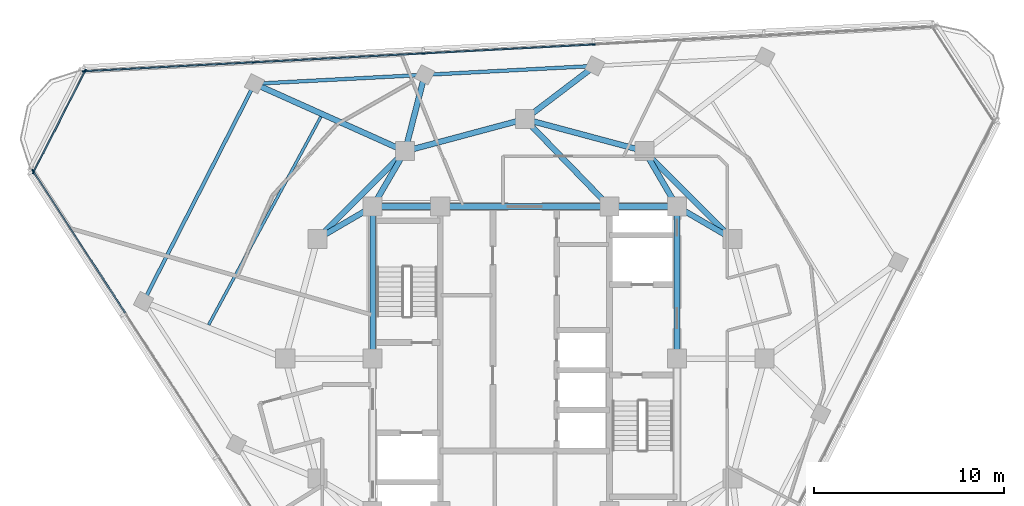
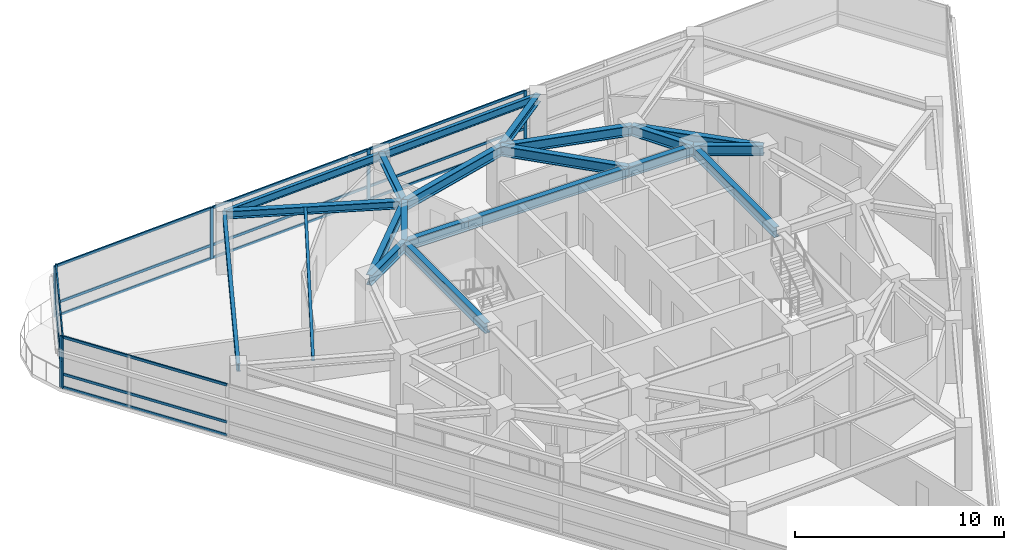
# One storey, part 5 of 15: 22 members, 21 beams, 3 elements without a shape of their own.
"""IFC4 building model written with IfcOpenShell, lengths in metres."""

from ifc_helpers import new_model, si_unit, direction, frame, origin, origin_2d, place, context, subcontext, project, spatial, rectangle, i_section, extrude, material, layer, layer_set, material_profile, profile_set, type_object, element, aggregate, save


model = new_model("IFC4")

# Units and contexts
model_context = context("Model", 3, precision=1e-05, world=origin(), true_north=direction((0.0, 1.0)))
body_context = subcontext(model_context, "Body", "Model", "MODEL_VIEW")
ifc_project = project(units=[si_unit("LENGTHUNIT", "METRE"), si_unit("AREAUNIT", "SQUARE_METRE"), si_unit("VOLUMEUNIT", "CUBIC_METRE"), si_unit("PLANEANGLEUNIT", "RADIAN"), si_unit("MASSUNIT", "GRAM", prefix="KILO")], contexts=[model_context])

# Site, building, storey
site_placement = place(None, origin())
site = spatial("IfcSite", under=ifc_project, at=site_placement, CompositionType="ELEMENT")
building_placement = place(site_placement, origin())
building = spatial("IfcBuilding", under=site, at=building_placement, Name="Terralouvre Media Tower", CompositionType="ELEMENT")
storey_placement = place(building_placement, frame((0.0, 0.0, 263.300048828125)))
storey = spatial("IfcBuildingStorey", under=building, at=storey_placement, Name="L68", CompositionType="ELEMENT", Elevation=263.300048828125)

# Beam
ifc_material_1 = material(Name="Structural steel S355J2", Category="steel")
ifc_material_profile_1 = material_profile(ifc_material_1, i_section(OverallWidth=0.14990234375, OverallDepth=0.300048828125, WebThickness=0.007080078125, FlangeThickness=0.0107421875, at=origin_2d()), Name="IPE 300")
ifc_profile_set_1 = profile_set([ifc_material_profile_1], Name="Structural steel S355J2")
beam_type_1 = type_object("IfcBeamType", Name="Composite Floor Joist J-IPE300 (IPE 300)", PredefinedType="JOIST", material=ifc_profile_set_1)
beam_1_placement = place(storey_placement, frame((-10.72509765625, 12.73046875, 3.349853515625), z_axis=(-0.47463118451, -0.880184775312, 0.0), x_axis=(0.880184775312, -0.47463118451, 0.0)))
element("IfcBeam", 1, at=beam_1_placement, inside=storey, type_object=beam_type_1, Name="L68 Framing Beam JT-L68-05", PredefinedType="JOIST", context=body_context, shape_type="SweptSolid", body=[
    extrude(i_section(OverallWidth=0.14990234375, OverallDepth=0.300048828125, WebThickness=0.007080078125, FlangeThickness=0.0107421875, at=origin_2d()), origin(), (0.0, 0.0, 1.0), 12.437255859375),
])

# Curtain wall, members
ifc_material_2 = material(Name="Low-iron laminated double glazing with solar-control coating", Category="glass")
ifc_layer_1 = layer(ifc_material_2, 0.1650390625, Name="Upper Executive Tower Curtain Wall CW-05")
ifc_layer_set_1 = layer_set([ifc_layer_1], Name="Low-iron laminated double glazing with solar-control coating")
curtain_wall_type_1 = type_object("IfcCurtainWallType", Name="Upper Executive Tower Curtain Wall CW-05", PredefinedType="NOTDEFINED", material=ifc_layer_set_1)
curtain_wall_1_placement = place(storey_placement, origin())
curtain_wall_1 = element("IfcCurtainWall", 2, at=curtain_wall_1_placement, inside=storey, type_object=curtain_wall_type_1, Name="L68 Facade Curtain Wall F1", PredefinedType="NOTDEFINED")
ifc_material_3 = material(Name="Anodised extruded aluminium 6063-T6", Category="aluminium")
ifc_material_profile_2 = material_profile(ifc_material_3, rectangle(XDim=0.074951171875, YDim=0.14990234375, at=origin_2d()), Name="ALU 75x150")
ifc_profile_set_2 = profile_set([ifc_material_profile_2], Name="Anodised extruded aluminium 6063-T6")
member_type_1 = type_object("IfcMemberType", Name="Curtain-Wall Horizontal Transom TR-150", PredefinedType="USERDEFINED", material=ifc_profile_set_2)
member_1_placement = place(storey_placement, frame((3.582763671875, 16.522705078125, 0.037353515625), z_axis=(-0.998630476572, -0.052317982208, 0.0), x_axis=(0.052317982208, -0.998630476572, 0.0)))
member_1 = element("IfcMember", 3, at=member_1_placement, type_object=member_type_1, Name="CW-05 transom 3.1", ObjectType="TRANSOM", PredefinedType="USERDEFINED", context=body_context, shape_type="SweptSolid", body=[
    extrude(rectangle(XDim=0.074951171875, YDim=0.14990234375, at=origin_2d()), origin(), (0.0, 0.0, 1.0), 8.885009765625),
])
member_2_placement = place(storey_placement, frame((3.582763671875, 16.522705078125, 0.800048828125), z_axis=(-0.998630476572, -0.052317982208, 0.0), x_axis=(0.052317982208, -0.998630476572, 0.0)))
member_2 = element("IfcMember", 4, at=member_2_placement, type_object=member_type_1, Name="CW-05 transom 3.2", ObjectType="TRANSOM", PredefinedType="USERDEFINED", context=body_context, shape_type="SweptSolid", body=[
    extrude(rectangle(XDim=0.074951171875, YDim=0.14990234375, at=origin_2d()), origin(), (0.0, 0.0, 1.0), 8.885009765625),
])
member_3_placement = place(storey_placement, frame((3.582763671875, 16.522705078125, 2.96240234375), z_axis=(-0.998630476572, -0.052317982208, 0.0), x_axis=(0.052317982208, -0.998630476572, 0.0)))
member_3 = element("IfcMember", 5, at=member_3_placement, type_object=member_type_1, Name="CW-05 transom 3.3", ObjectType="TRANSOM", PredefinedType="USERDEFINED", context=body_context, shape_type="SweptSolid", body=[
    extrude(rectangle(XDim=0.074951171875, YDim=0.14990234375, at=origin_2d()), origin(), (0.0, 0.0, 1.0), 8.885009765625),
])
member_4_placement = place(storey_placement, frame((-5.364990234375, 16.053955078125, 0.037353515625), z_axis=(-0.998629040577, -0.052345384869, 0.0), x_axis=(0.052345384869, -0.998629040577, 0.0)))
member_4 = element("IfcMember", 6, at=member_4_placement, type_object=member_type_1, Name="CW-05 transom 4.1", ObjectType="TRANSOM", PredefinedType="USERDEFINED", context=body_context, shape_type="SweptSolid", body=[
    extrude(rectangle(XDim=0.074951171875, YDim=0.14990234375, at=origin_2d()), origin(), (0.0, 0.0, 1.0), 8.885009765625),
])
member_5_placement = place(storey_placement, frame((-5.364990234375, 16.053955078125, 0.800048828125), z_axis=(-0.998629040577, -0.052345384869, 0.0), x_axis=(0.052345384869, -0.998629040577, 0.0)))
member_5 = element("IfcMember", 7, at=member_5_placement, type_object=member_type_1, Name="CW-05 transom 4.2", ObjectType="TRANSOM", PredefinedType="USERDEFINED", context=body_context, shape_type="SweptSolid", body=[
    extrude(rectangle(XDim=0.074951171875, YDim=0.14990234375, at=origin_2d()), origin(), (0.0, 0.0, 1.0), 8.885009765625),
])
member_6_placement = place(storey_placement, frame((-5.364990234375, 16.053955078125, 2.96240234375), z_axis=(-0.998629040577, -0.052345384869, 0.0), x_axis=(0.052345384869, -0.998629040577, 0.0)))
member_6 = element("IfcMember", 8, at=member_6_placement, type_object=member_type_1, Name="CW-05 transom 4.3", ObjectType="TRANSOM", PredefinedType="USERDEFINED", context=body_context, shape_type="SweptSolid", body=[
    extrude(rectangle(XDim=0.074951171875, YDim=0.14990234375, at=origin_2d()), origin(), (0.0, 0.0, 1.0), 8.885009765625),
])
member_7_placement = place(storey_placement, frame((-14.312744140625, 15.5849609375, 0.037353515625), z_axis=(-0.99862901196, -0.052345930801, 0.0), x_axis=(0.052345930801, -0.99862901196, 0.0)))
member_7 = element("IfcMember", 9, at=member_7_placement, type_object=member_type_1, Name="CW-05 transom 5.1", ObjectType="TRANSOM", PredefinedType="USERDEFINED", context=body_context, shape_type="SweptSolid", body=[
    extrude(rectangle(XDim=0.074951171875, YDim=0.14990234375, at=origin_2d()), origin(), (0.0, 0.0, 1.0), 8.84765625),
])
member_8_placement = place(storey_placement, frame((-14.312744140625, 15.5849609375, 0.800048828125), z_axis=(-0.99862901196, -0.052345930801, 0.0), x_axis=(0.052345930801, -0.99862901196, 0.0)))
member_8 = element("IfcMember", 10, at=member_8_placement, type_object=member_type_1, Name="CW-05 transom 5.2", ObjectType="TRANSOM", PredefinedType="USERDEFINED", context=body_context, shape_type="SweptSolid", body=[
    extrude(rectangle(XDim=0.074951171875, YDim=0.14990234375, at=origin_2d()), origin(), (0.0, 0.0, 1.0), 8.84765625),
])
member_9_placement = place(storey_placement, frame((-14.312744140625, 15.5849609375, 2.96240234375), z_axis=(-0.99862901196, -0.052345930801, 0.0), x_axis=(0.052345930801, -0.99862901196, 0.0)))
member_9 = element("IfcMember", 11, at=member_9_placement, type_object=member_type_1, Name="CW-05 transom 5.3", ObjectType="TRANSOM", PredefinedType="USERDEFINED", context=body_context, shape_type="SweptSolid", body=[
    extrude(rectangle(XDim=0.074951171875, YDim=0.14990234375, at=origin_2d()), origin(), (0.0, 0.0, 1.0), 8.84765625),
])

curtain_wall_2_placement = place(storey_placement, origin())
curtain_wall_2 = element("IfcCurtainWall", 12, at=curtain_wall_2_placement, inside=storey, type_object=curtain_wall_type_1, Name="L68 Facade Curtain Wall F2", PredefinedType="NOTDEFINED")
member_10_placement = place(storey_placement, frame((-25.840087890625, 9.8388671875, 0.037353515625), z_axis=(0.5446498072, -0.838663572308, 0.0), x_axis=(0.838663572308, 0.5446498072, 0.0)))
member_10 = element("IfcMember", 13, at=member_10_placement, type_object=member_type_1, Name="CW-05 transom 1.1", ObjectType="TRANSOM", PredefinedType="USERDEFINED", context=body_context, shape_type="SweptSolid", body=[
    extrude(rectangle(XDim=0.074951171875, YDim=0.14990234375, at=origin_2d()), origin(), (0.0, 0.0, 1.0), 8.84765625),
])
member_11_placement = place(storey_placement, frame((-25.840087890625, 9.8388671875, 0.800048828125), z_axis=(0.5446498072, -0.838663572308, 0.0), x_axis=(0.838663572308, 0.5446498072, 0.0)))
member_11 = element("IfcMember", 14, at=member_11_placement, type_object=member_type_1, Name="CW-05 transom 1.2", ObjectType="TRANSOM", PredefinedType="USERDEFINED", context=body_context, shape_type="SweptSolid", body=[
    extrude(rectangle(XDim=0.074951171875, YDim=0.14990234375, at=origin_2d()), origin(), (0.0, 0.0, 1.0), 8.84765625),
])
member_12_placement = place(storey_placement, frame((-25.840087890625, 9.8388671875, 2.96240234375), z_axis=(0.5446498072, -0.838663572308, 0.0), x_axis=(0.838663572308, 0.5446498072, 0.0)))
member_12 = element("IfcMember", 15, at=member_12_placement, type_object=member_type_1, Name="CW-05 transom 1.3", ObjectType="TRANSOM", PredefinedType="USERDEFINED", context=body_context, shape_type="SweptSolid", body=[
    extrude(rectangle(XDim=0.074951171875, YDim=0.14990234375, at=origin_2d()), origin(), (0.0, 0.0, 1.0), 8.84765625),
])

ifc_material_4 = material(Name="Low-iron laminated double glazing with solar-control coating", Category="glass")
ifc_layer_2 = layer(ifc_material_4, 0.1650390625, Name="Rounded Wind-Corner Curved Glazing CW-04")
ifc_layer_set_2 = layer_set([ifc_layer_2], Name="Low-iron laminated double glazing with solar-control coating")
curtain_wall_type_2 = type_object("IfcCurtainWallType", Name="Rounded Wind-Corner Curved Glazing CW-04", PredefinedType="NOTDEFINED", material=ifc_layer_set_2)
curtain_wall_3_placement = place(storey_placement, origin())
curtain_wall_3 = element("IfcCurtainWall", 16, at=curtain_wall_3_placement, inside=storey, type_object=curtain_wall_type_2, Name="L68 Rounded Wind-Corner Curtain Wall C2", PredefinedType="NOTDEFINED")
member_13_placement = place(storey_placement, frame((-23.138671875, 15.107421875, 0.037353515625), z_axis=(-0.453989495794, -0.891007035724, 0.0), x_axis=(0.891007035724, -0.453989495794, 0.0)))
member_13 = element("IfcMember", 17, at=member_13_placement, type_object=member_type_1, Name="CW-04 transom 1.1", ObjectType="TRANSOM", PredefinedType="USERDEFINED", context=body_context, shape_type="SweptSolid", body=[
    extrude(rectangle(XDim=0.074951171875, YDim=0.14990234375, at=origin_2d()), origin(), (0.0, 0.0, 1.0), 5.912109375),
])
member_14_placement = place(storey_placement, frame((-23.138671875, 15.107421875, 0.800048828125), z_axis=(-0.453989495794, -0.891007035724, 0.0), x_axis=(0.891007035724, -0.453989495794, 0.0)))
member_14 = element("IfcMember", 18, at=member_14_placement, type_object=member_type_1, Name="CW-04 transom 1.2", ObjectType="TRANSOM", PredefinedType="USERDEFINED", context=body_context, shape_type="SweptSolid", body=[
    extrude(rectangle(XDim=0.074951171875, YDim=0.14990234375, at=origin_2d()), origin(), (0.0, 0.0, 1.0), 5.912109375),
])
member_15_placement = place(storey_placement, frame((-23.138671875, 15.107421875, 2.96240234375), z_axis=(-0.453989495794, -0.891007035724, 0.0), x_axis=(0.891007035724, -0.453989495794, 0.0)))
member_15 = element("IfcMember", 19, at=member_15_placement, type_object=member_type_1, Name="CW-04 transom 1.3", ObjectType="TRANSOM", PredefinedType="USERDEFINED", context=body_context, shape_type="SweptSolid", body=[
    extrude(rectangle(XDim=0.074951171875, YDim=0.14990234375, at=origin_2d()), origin(), (0.0, 0.0, 1.0), 5.912109375),
])

# Member
ifc_material_5 = material(Name="Anodised extruded aluminium 6063-T6", Category="aluminium")
ifc_material_profile_3 = material_profile(ifc_material_5, rectangle(XDim=0.074951171875, YDim=0.179931640625, at=origin_2d()), Name="ALU 75x180")
ifc_profile_set_3 = profile_set([ifc_material_profile_3], Name="Anodised extruded aluminium 6063-T6")
member_type_2 = type_object("IfcMemberType", Name="Curtain-Wall Vertical Mullion ML-180", PredefinedType="MULLION", material=ifc_profile_set_3)
member_16_placement = place(storey_placement, frame((3.6201171875, 16.524658203125, 0.0), z_axis=(0.0, 0.0, 1.0), x_axis=(0.052336163844, -0.998629523875, 0.0)))
member_16 = element("IfcMember", 20, at=member_16_placement, type_object=member_type_2, Name="CW-05 mullion 3", PredefinedType="MULLION", context=body_context, shape_type="SweptSolid", body=[
    extrude(rectangle(XDim=0.074951171875, YDim=0.179931640625, at=origin_2d()), origin(), (0.0, 0.0, 1.0), 3.0),
])

member_17_placement = place(storey_placement, frame((-5.32763671875, 16.055908203125, 0.0), z_axis=(0.0, 0.0, 1.0), x_axis=(0.052336163844, -0.998629523875, 0.0)))
member_17 = element("IfcMember", 21, at=member_17_placement, type_object=member_type_2, Name="CW-05 mullion 4", PredefinedType="MULLION", context=body_context, shape_type="SweptSolid", body=[
    extrude(rectangle(XDim=0.074951171875, YDim=0.179931640625, at=origin_2d()), origin(), (0.0, 0.0, 1.0), 3.0),
])

member_18_placement = place(storey_placement, frame((-14.275390625, 15.5869140625, 0.0), z_axis=(0.0, 0.0, 1.0), x_axis=(0.052336163844, -0.998629523875, 0.0)))
member_18 = element("IfcMember", 22, at=member_18_placement, type_object=member_type_2, Name="CW-05 mullion 5", PredefinedType="MULLION", context=body_context, shape_type="SweptSolid", body=[
    extrude(rectangle(XDim=0.074951171875, YDim=0.179931640625, at=origin_2d()), origin(), (0.0, 0.0, 1.0), 3.0),
])

member_19_placement = place(storey_placement, frame((-23.185546875, 15.119873046875, 0.0), z_axis=(0.0, 0.0, 1.0), x_axis=(0.052336163844, -0.998629523875, 0.0)))
member_19 = element("IfcMember", 23, at=member_19_placement, type_object=member_type_2, Name="CW-05 mullion 6", PredefinedType="MULLION", context=body_context, shape_type="SweptSolid", body=[
    extrude(rectangle(XDim=0.074951171875, YDim=0.179931640625, at=origin_2d()), origin(), (0.0, 0.0, 1.0), 3.0),
])

aggregate(curtain_wall_1, [member_16, member_17, member_18, member_19, member_1, member_2, member_3, member_4, member_5, member_6, member_7, member_8, member_9])

member_20_placement = place(storey_placement, frame((-25.8603515625, 9.870361328125, 0.0), z_axis=(0.0, 0.0, 1.0), x_axis=(0.838670545826, 0.544639069077, 0.0)))
member_20 = element("IfcMember", 24, at=member_20_placement, type_object=member_type_2, Name="CW-05 mullion 1", PredefinedType="MULLION", context=body_context, shape_type="SweptSolid", body=[
    extrude(rectangle(XDim=0.074951171875, YDim=0.179931640625, at=origin_2d()), origin(), (0.0, 0.0, 1.0), 3.0),
])

aggregate(curtain_wall_2, [member_20, member_10, member_11, member_12])

member_21_placement = place(storey_placement, frame((-23.12158203125, 15.140869140625, 0.0), z_axis=(0.0, 0.0, 1.0), x_axis=(0.891006600517, -0.453990349937, 0.0)))
member_21 = element("IfcMember", 25, at=member_21_placement, type_object=member_type_2, Name="CW-04 mullion 1", PredefinedType="MULLION", context=body_context, shape_type="SweptSolid", body=[
    extrude(rectangle(XDim=0.074951171875, YDim=0.179931640625, at=origin_2d()), origin(), (0.0, 0.0, 1.0), 3.0),
])

member_22_placement = place(storey_placement, frame((-25.83984375, 9.80615234375, 0.0), z_axis=(0.0, 0.0, 1.0), x_axis=(0.891006600517, -0.453990349937, 0.0)))
member_22 = element("IfcMember", 26, at=member_22_placement, type_object=member_type_2, Name="CW-04 mullion 2", PredefinedType="MULLION", context=body_context, shape_type="SweptSolid", body=[
    extrude(rectangle(XDim=0.074951171875, YDim=0.179931640625, at=origin_2d()), origin(), (0.0, 0.0, 1.0), 3.0),
])

aggregate(curtain_wall_3, [member_21, member_22, member_13, member_14, member_15])

# Beams
ifc_material_6 = material(Name="Structural steel S355J2", Category="steel")
ifc_material_profile_4 = material_profile(ifc_material_6, i_section(OverallWidth=0.18994140625, OverallDepth=0.449951171875, WebThickness=0.009521484375, FlangeThickness=0.0146484375, at=origin_2d()), Name="IPE 450")
ifc_profile_set_4 = profile_set([ifc_material_profile_4], Name="Structural steel S355J2")
beam_type_2 = type_object("IfcBeamType", Name="Perimeter Spandrel Beam SPB-450 (IPE 450)", PredefinedType="SPANDREL", material=ifc_profile_set_4)
for number, where, z_axis, x_axis, name in (
    (27, (3.67919921875, 15.396240234375, 3.27490234375), (-0.998630595649, -0.05231570924, 0.0), (0.05231570924, -0.998630595649, 0.0), "L68 Framing Beam BM-L68-PR09"),
    (28, (-5.2685546875, 14.927490234375, 3.27490234375), (-0.998629171747, -0.052342882372, 0.0), (0.052342882372, -0.998629171747, 0.0), "L68 Framing Beam BM-L68-PR10"),
):
    element("IfcBeam", number, at=place(storey_placement, frame(where, z_axis=z_axis, x_axis=x_axis)), inside=storey, type_object=beam_type_2, Name=name, PredefinedType="SPANDREL", context=body_context, shape_type="SweptSolid", body=[
        extrude(i_section(OverallWidth=0.18994140625, OverallDepth=0.449951171875, WebThickness=0.009521484375, FlangeThickness=0.0146484375, at=origin_2d()), origin(), (0.0, 0.0, 1.0), 8.9599609375),
    ])
beam_2_placement = place(storey_placement, frame((-14.21630859375, 14.45849609375, 3.27490234375), z_axis=(-0.453983525005, -0.891010077958, 0.0), x_axis=(0.891010077958, -0.453983525005, 0.0)))
element("IfcBeam", 29, at=beam_2_placement, inside=storey, type_object=beam_type_2, Name="L68 Framing Beam BM-L68-PR11", PredefinedType="SPANDREL", context=body_context, shape_type="SweptSolid", body=[
    extrude(i_section(OverallWidth=0.18994140625, OverallDepth=0.449951171875, WebThickness=0.009521484375, FlangeThickness=0.0146484375, at=origin_2d()), origin(), (0.0, 0.0, 1.0), 12.857177734375),
])
ifc_material_7 = material(Name="Structural steel S355J2", Category="steel")
ifc_material_profile_5 = material_profile(ifc_material_7, i_section(OverallWidth=0.300048828125, OverallDepth=0.449951171875, WebThickness=0.013916015625, FlangeThickness=0.02587890625, at=origin_2d()), Name="HEB 450")
ifc_profile_set_5 = profile_set([ifc_material_profile_5], Name="Structural steel S355J2")
beam_type_3 = type_object("IfcBeamType", Name="Primary Floor Girder B-HEB450 (HEB 450)", PredefinedType="BEAM", material=ifc_profile_set_5)
beam_3_placement = place(storey_placement, frame((0.0, 12.60009765625, 3.27490234375), z_axis=(0.796167284329, 0.605076569836, 0.0), x_axis=(-0.605076569836, 0.796167284329, 0.0)))
element("IfcBeam", 30, at=beam_3_placement, inside=storey, type_object=beam_type_3, Name="L68 Framing Beam BM-L68-RD09", PredefinedType="BEAM", context=body_context, shape_type="SweptSolid", body=[
    extrude(i_section(OverallWidth=0.300048828125, OverallDepth=0.449951171875, WebThickness=0.013916015625, FlangeThickness=0.02587890625, at=origin_2d()), origin(), (0.0, 0.0, 1.0), 4.62109375),
])
beam_4_placement = place(storey_placement, frame((-6.300048828125, 10.911865234375, 3.27490234375), z_axis=(0.248793268672, 0.968556611388, 0.0), x_axis=(-0.968556611388, 0.248793268672, 0.0)))
element("IfcBeam", 31, at=beam_4_placement, inside=storey, type_object=beam_type_3, Name="L68 Framing Beam BM-L68-RD10", PredefinedType="BEAM", context=body_context, shape_type="SweptSolid", body=[
    extrude(i_section(OverallWidth=0.300048828125, OverallDepth=0.449951171875, WebThickness=0.013916015625, FlangeThickness=0.02587890625, at=origin_2d()), origin(), (0.0, 0.0, 1.0), 4.14599609375),
])
beam_5_placement = place(storey_placement, frame((-6.300048828125, 10.911865234375, 3.27490234375), z_axis=(-0.912596970607, 0.408860329746, 0.0), x_axis=(-0.408860329746, -0.912596970607, 0.0)))
element("IfcBeam", 32, at=beam_5_placement, inside=storey, type_object=beam_type_3, Name="L68 Framing Beam BM-L68-RD11", PredefinedType="BEAM", context=body_context, shape_type="SweptSolid", body=[
    extrude(i_section(OverallWidth=0.300048828125, OverallDepth=0.449951171875, WebThickness=0.013916015625, FlangeThickness=0.02587890625, at=origin_2d()), origin(), (0.0, 0.0, 1.0), 8.67431640625),
])
ifc_material_8 = material(Name="Structural steel S460M", Category="steel")
ifc_material_profile_6 = material_profile(ifc_material_8, i_section(OverallWidth=0.300048828125, OverallDepth=0.60009765625, WebThickness=0.015380859375, FlangeThickness=0.030029296875, at=origin_2d()), Name="HEB 600")
ifc_profile_set_6 = profile_set([ifc_material_profile_6], Name="Structural steel S460M")
beam_type_4 = type_object("IfcBeamType", Name="Primary Floor Girder B-HEB600 (HEB 600)", PredefinedType="BEAM", material=ifc_profile_set_6)
beam_6_placement = place(storey_placement, frame((8.0, 0.0, 3.199951171875), z_axis=(0.0, 1.0, 0.0), x_axis=(-1.0, 0.0, 0.0)))
element("IfcBeam", 33, at=beam_6_placement, inside=storey, type_object=beam_type_4, Name="L68 Framing Beam BM-L68-CPR05", PredefinedType="BEAM", context=body_context, shape_type="SweptSolid", body=[
    extrude(i_section(OverallWidth=0.300048828125, OverallDepth=0.60009765625, WebThickness=0.015380859375, FlangeThickness=0.030029296875, at=origin_2d()), origin(), (0.0, 0.0, 1.0), 8.0),
])
beam_7_placement = place(storey_placement, frame((8.0, 8.0, 3.199951171875), z_axis=(-1.0, 0.0, 0.0), x_axis=(0.0, -1.0, 0.0)))
element("IfcBeam", 34, at=beam_7_placement, inside=storey, type_object=beam_type_4, Name="L68 Framing Beam BM-L68-CPR06", PredefinedType="BEAM", context=body_context, shape_type="SweptSolid", body=[
    extrude(i_section(OverallWidth=0.300048828125, OverallDepth=0.60009765625, WebThickness=0.015380859375, FlangeThickness=0.030029296875, at=origin_2d()), origin(), (0.0, 0.0, 1.0), 3.550048828125),
])
beam_8_placement = place(storey_placement, frame((4.449951171875, 8.0, 3.199951171875), z_axis=(-1.0, 0.0, 0.0), x_axis=(0.0, -1.0, 0.0)))
element("IfcBeam", 35, at=beam_8_placement, inside=storey, type_object=beam_type_4, Name="L68 Framing Beam BM-L68-CPR07", PredefinedType="BEAM", context=body_context, shape_type="SweptSolid", body=[
    extrude(i_section(OverallWidth=0.300048828125, OverallDepth=0.60009765625, WebThickness=0.015380859375, FlangeThickness=0.030029296875, at=origin_2d()), origin(), (0.0, 0.0, 1.0), 8.89990234375),
])
beam_9_placement = place(storey_placement, frame((-4.449951171875, 8.0, 3.199951171875), z_axis=(-1.0, 0.0, 0.0), x_axis=(0.0, -1.0, 0.0)))
element("IfcBeam", 36, at=beam_9_placement, inside=storey, type_object=beam_type_4, Name="L68 Framing Beam BM-L68-CPR08", PredefinedType="BEAM", context=body_context, shape_type="SweptSolid", body=[
    extrude(i_section(OverallWidth=0.300048828125, OverallDepth=0.60009765625, WebThickness=0.015380859375, FlangeThickness=0.030029296875, at=origin_2d()), origin(), (0.0, 0.0, 1.0), 3.550048828125),
])
beam_10_placement = place(storey_placement, frame((-8.0, 8.0, 3.199951171875), z_axis=(0.0, -1.0, 0.0), x_axis=(1.0, 0.0, 0.0)))
element("IfcBeam", 37, at=beam_10_placement, inside=storey, type_object=beam_type_4, Name="L68 Framing Beam BM-L68-CPR09", PredefinedType="BEAM", context=body_context, shape_type="SweptSolid", body=[
    extrude(i_section(OverallWidth=0.300048828125, OverallDepth=0.60009765625, WebThickness=0.015380859375, FlangeThickness=0.030029296875, at=origin_2d()), origin(), (0.0, 0.0, 1.0), 8.0),
])
beam_11_placement = place(storey_placement, frame((10.911865234375, 6.300048828125, 3.199951171875), z_axis=(-0.707106781187, 0.707106781187, 0.0), x_axis=(-0.707106781187, -0.707106781187, 0.0)))
element("IfcBeam", 38, at=beam_11_placement, inside=storey, type_object=beam_type_4, Name="L68 Framing Beam BM-L68-MR07", PredefinedType="BEAM", context=body_context, shape_type="SweptSolid", body=[
    extrude(i_section(OverallWidth=0.300048828125, OverallDepth=0.60009765625, WebThickness=0.015380859375, FlangeThickness=0.030029296875, at=origin_2d()), origin(), (0.0, 0.0, 1.0), 6.52197265625),
])
for number, where, z_axis, x_axis, name in (
    (39, (6.300048828125, 10.911865234375, 3.199951171875), (-0.965920481897, 0.258838989821, 0.0), (-0.258838989821, -0.965920481897, 0.0), "L68 Framing Beam BM-L68-MR08"),
    (40, (0.0, 12.60009765625, 3.199951171875), (-0.965920481897, -0.258838989821, 0.0), (0.258838989821, -0.965920481897, 0.0), "L68 Framing Beam BM-L68-MR09"),
):
    element("IfcBeam", number, at=place(storey_placement, frame(where, z_axis=z_axis, x_axis=x_axis)), inside=storey, type_object=beam_type_4, Name=name, PredefinedType="BEAM", context=body_context, shape_type="SweptSolid", body=[
        extrude(i_section(OverallWidth=0.300048828125, OverallDepth=0.60009765625, WebThickness=0.015380859375, FlangeThickness=0.030029296875, at=origin_2d()), origin(), (0.0, 0.0, 1.0), 6.522216796875),
    ])
beam_12_placement = place(storey_placement, frame((-6.300048828125, 10.911865234375, 3.199951171875), z_axis=(-0.707106781187, -0.707106781187, 0.0), x_axis=(0.707106781187, -0.707106781187, 0.0)))
element("IfcBeam", 41, at=beam_12_placement, inside=storey, type_object=beam_type_4, Name="L68 Framing Beam BM-L68-MR10", PredefinedType="BEAM", context=body_context, shape_type="SweptSolid", body=[
    extrude(i_section(OverallWidth=0.300048828125, OverallDepth=0.60009765625, WebThickness=0.015380859375, FlangeThickness=0.030029296875, at=origin_2d()), origin(), (0.0, 0.0, 1.0), 6.52197265625),
])
for number, where, z_axis, x_axis, name in (
    (42, (8.0, 8.0, 3.199951171875), (0.863602894532, -0.504172629717, 0.0), (0.504172629717, 0.863602894532, 0.0), "L68 Framing Beam BM-L68-CM07"),
    (43, (8.0, 8.0, 3.199951171875), (-0.504172629717, 0.863602894532, 0.0), (-0.863602894532, -0.504172629717, 0.0), "L68 Framing Beam BM-L68-CM08"),
):
    element("IfcBeam", number, at=place(storey_placement, frame(where, z_axis=z_axis, x_axis=x_axis)), inside=storey, type_object=beam_type_4, Name=name, PredefinedType="BEAM", context=body_context, shape_type="SweptSolid", body=[
        extrude(i_section(OverallWidth=0.300048828125, OverallDepth=0.60009765625, WebThickness=0.015380859375, FlangeThickness=0.030029296875, at=origin_2d()), origin(), (0.0, 0.0, 1.0), 3.371826171875),
    ])
beam_13_placement = place(storey_placement, frame((4.449951171875, 8.0, 3.199951171875), z_axis=(-0.695279715726, 0.718739255155, 0.0), x_axis=(-0.718739255155, -0.695279715726, 0.0)))
element("IfcBeam", 44, at=beam_13_placement, inside=storey, type_object=beam_type_4, Name="L68 Framing Beam BM-L68-CM09", PredefinedType="BEAM", context=body_context, shape_type="SweptSolid", body=[
    extrude(i_section(OverallWidth=0.300048828125, OverallDepth=0.60009765625, WebThickness=0.015380859375, FlangeThickness=0.030029296875, at=origin_2d()), origin(), (0.0, 0.0, 1.0), 6.400146484375),
])
for number, where, z_axis, x_axis, name in (
    (45, (-8.0, 8.0, 3.199951171875), (0.504172629717, 0.863602894532, 0.0), (-0.863602894532, 0.504172629717, 0.0), "L68 Framing Beam BM-L68-CM10"),
    (46, (-8.0, 8.0, 3.199951171875), (-0.863602894532, -0.504172629717, 0.0), (0.504172629717, -0.863602894532, 0.0), "L68 Framing Beam BM-L68-CM11"),
):
    element("IfcBeam", number, at=place(storey_placement, frame(where, z_axis=z_axis, x_axis=x_axis)), inside=storey, type_object=beam_type_4, Name=name, PredefinedType="BEAM", context=body_context, shape_type="SweptSolid", body=[
        extrude(i_section(OverallWidth=0.300048828125, OverallDepth=0.60009765625, WebThickness=0.015380859375, FlangeThickness=0.030029296875, at=origin_2d()), origin(), (0.0, 0.0, 1.0), 3.371826171875),
    ])

save(model, "model.ifc")
